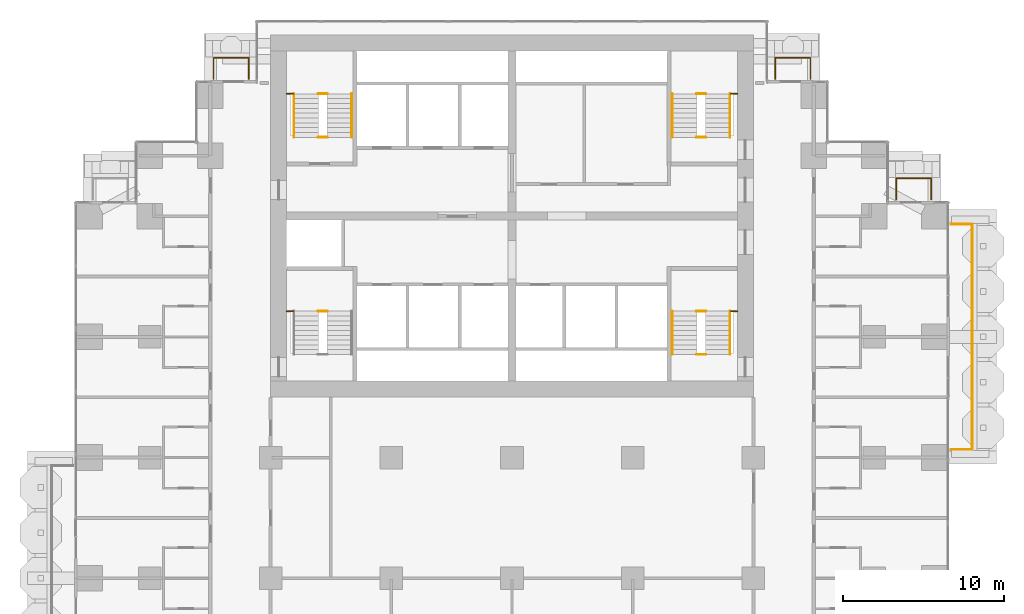
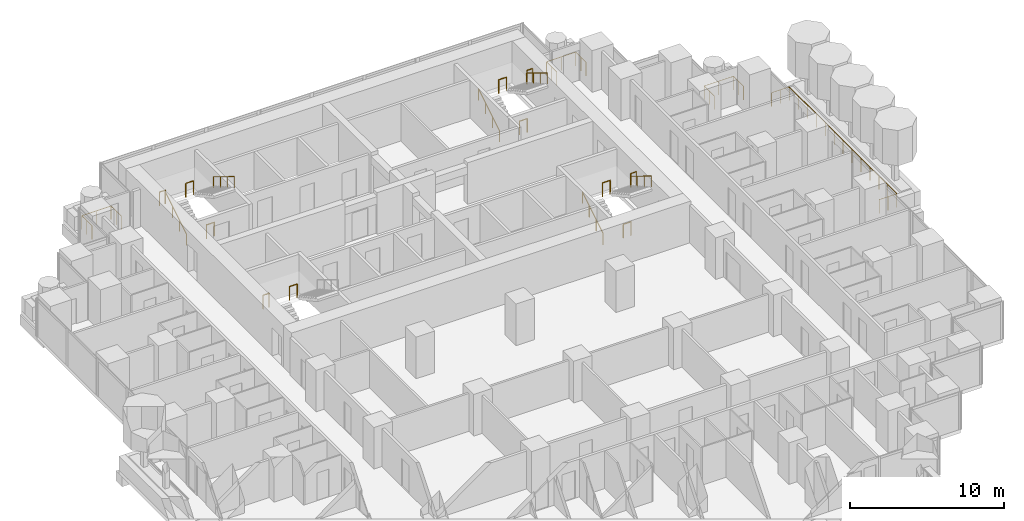
# One storey, part 18 of 19: 21 railings.
"""IFC4 building model written with IfcOpenShell, lengths in metres."""

from ifc_helpers import new_model, si_unit, direction, frame, origin, origin_2d, place, context, subcontext, project, spatial, circle, extrude, material, type_object, element, save


model = new_model("IFC4")

# Units and contexts
model_context = context("Model", 3, precision=1e-05, world=origin(), true_north=direction((0.0, 1.0)))
body_context = subcontext(model_context, "Body", "Model", "MODEL_VIEW")
ifc_project = project(units=[si_unit("LENGTHUNIT", "METRE"), si_unit("AREAUNIT", "SQUARE_METRE"), si_unit("VOLUMEUNIT", "CUBIC_METRE"), si_unit("PLANEANGLEUNIT", "RADIAN"), si_unit("MASSUNIT", "GRAM", prefix="KILO")], contexts=[model_context])

# Site, building, storey
site_placement = place(None, origin())
site = spatial("IfcSite", under=ifc_project, at=site_placement, CompositionType="ELEMENT")
building_placement = place(site_placement, origin())
building = spatial("IfcBuilding", under=site, at=building_placement, Name="Pilkhan Gate Tower", CompositionType="ELEMENT")
storey_placement = place(building_placement, frame((0.0, 0.0, 39.5)))
storey = spatial("IfcBuildingStorey", under=building, at=storey_placement, Name="L06", CompositionType="ELEMENT", Elevation=39.5)

# Railings
ifc_material_1 = material(Name="Pale anodised aluminium posts, laminated glass infill", Category="aluminium")
railing_type_1 = type_object("IfcRailingType", Name="Balcony guard G1", PredefinedType="BALUSTRADE", material=ifc_material_1)
railing_1_placement = place(storey_placement, frame((102.27001953125, 68.0, 0.0)))
element("IfcRailing", 1, at=railing_1_placement, inside=storey, type_object=railing_type_1, Name="Balcony guard L06 E", PredefinedType="BALUSTRADE", context=body_context, shape_type="SweptSolid", body=[
    extrude(circle(Radius=0.02392578125, at=origin_2d()), frame((0.0, 0.0, 1.076171875), z_axis=(1.0, 0.0, 0.0), x_axis=(0.0, 1.0, 0.0)), (0.0, 0.0, 1.0), 1.330078125),
    extrude(circle(Radius=0.02392578125, at=origin_2d()), frame((1.330078125, 0.0, 1.076171875), z_axis=(0.0, 1.0, 0.0), x_axis=(-1.0, 0.0, 0.0)), (0.0, 0.0, 1.0), 14.0),
    extrude(circle(Radius=0.02392578125, at=origin_2d()), frame((1.330078125, 14.0, 1.076171875), z_axis=(-1.0, 0.0, 0.0), x_axis=(0.0, -1.0, 0.0)), (0.0, 0.0, 1.0), 1.330078125),
    extrude(circle(Radius=0.02099609375, at=origin_2d()), origin(), (0.0, 0.0, 1.0), 1.052001953125),
    extrude(circle(Radius=0.02099609375, at=origin_2d()), frame((0.6650390625, 0.0, 0.0)), (0.0, 0.0, 1.0), 1.052001953125),
    extrude(circle(Radius=0.02099609375, at=origin_2d()), frame((1.330078125, 0.0, 0.0)), (0.0, 0.0, 1.0), 1.052001953125),
    extrude(circle(Radius=0.02099609375, at=origin_2d()), frame((1.330078125, 1.166748046875, 0.0)), (0.0, 0.0, 1.0), 1.052001953125),
    extrude(circle(Radius=0.02099609375, at=origin_2d()), frame((1.330078125, 2.333251953125, 0.0)), (0.0, 0.0, 1.0), 1.052001953125),
    extrude(circle(Radius=0.02099609375, at=origin_2d()), frame((1.330078125, 3.5, 0.0)), (0.0, 0.0, 1.0), 1.052001953125),
    extrude(circle(Radius=0.02099609375, at=origin_2d()), frame((1.330078125, 4.666748046875, 0.0)), (0.0, 0.0, 1.0), 1.052001953125),
    extrude(circle(Radius=0.02099609375, at=origin_2d()), frame((1.330078125, 5.833251953125, 0.0)), (0.0, 0.0, 1.0), 1.052001953125),
    extrude(circle(Radius=0.02099609375, at=origin_2d()), frame((1.330078125, 7.0, 0.0)), (0.0, 0.0, 1.0), 1.052001953125),
    extrude(circle(Radius=0.02099609375, at=origin_2d()), frame((1.330078125, 8.166748046875, 0.0)), (0.0, 0.0, 1.0), 1.052001953125),
    extrude(circle(Radius=0.02099609375, at=origin_2d()), frame((1.330078125, 9.333251953125, 0.0)), (0.0, 0.0, 1.0), 1.052001953125),
    extrude(circle(Radius=0.02099609375, at=origin_2d()), frame((1.330078125, 10.5, 0.0)), (0.0, 0.0, 1.0), 1.052001953125),
    extrude(circle(Radius=0.02099609375, at=origin_2d()), frame((1.330078125, 11.666748046875, 0.0)), (0.0, 0.0, 1.0), 1.052001953125),
    extrude(circle(Radius=0.02099609375, at=origin_2d()), frame((1.330078125, 12.833251953125, 0.0)), (0.0, 0.0, 1.0), 1.052001953125),
    extrude(circle(Radius=0.02099609375, at=origin_2d()), frame((1.330078125, 14.0, 0.0)), (0.0, 0.0, 1.0), 1.052001953125),
    extrude(circle(Radius=0.02099609375, at=origin_2d()), frame((0.6650390625, 14.0, 0.0)), (0.0, 0.0, 1.0), 1.052001953125),
    extrude(circle(Radius=0.02099609375, at=origin_2d()), frame((0.0, 14.0, 0.0)), (0.0, 0.0, 1.0), 1.052001953125),
])
for number, where, name in (
    (2, (56.449951171875, 91.02001953125, 0.0), "Balcony guard L06 N"),
    (3, (91.35009765625, 91.02001953125, 0.0), "Balcony guard L06 N"),
):
    element("IfcRailing", number, at=place(storey_placement, frame(where)), inside=storey, type_object=railing_type_1, Name=name, PredefinedType="BALUSTRADE", context=body_context, shape_type="SweptSolid", body=[
        extrude(circle(Radius=0.02392578125, at=origin_2d()), frame((0.0, 0.0, 1.076171875), z_axis=(0.0, 1.0, 0.0), x_axis=(-1.0, 0.0, 0.0)), (0.0, 0.0, 1.0), 1.330078125),
        extrude(circle(Radius=0.02392578125, at=origin_2d()), frame((0.0, 1.330078125, 1.076171875), z_axis=(1.0, 0.0, 0.0), x_axis=(0.0, 1.0, 0.0)), (0.0, 0.0, 1.0), 2.199951171875),
        extrude(circle(Radius=0.02392578125, at=origin_2d()), frame((2.199951171875, 1.330078125, 1.076171875), z_axis=(0.0, -1.0, 0.0), x_axis=(1.0, 0.0, 0.0)), (0.0, 0.0, 1.0), 1.330078125),
        extrude(circle(Radius=0.02099609375, at=origin_2d()), origin(), (0.0, 0.0, 1.0), 1.052001953125),
        extrude(circle(Radius=0.02099609375, at=origin_2d()), frame((0.0, 0.6650390625, 0.0)), (0.0, 0.0, 1.0), 1.052001953125),
        extrude(circle(Radius=0.02099609375, at=origin_2d()), frame((0.0, 1.330078125, 0.0)), (0.0, 0.0, 1.0), 1.052001953125),
        extrude(circle(Radius=0.02099609375, at=origin_2d()), frame((1.10009765625, 1.330078125, 0.0)), (0.0, 0.0, 1.0), 1.052001953125),
        extrude(circle(Radius=0.02099609375, at=origin_2d()), frame((2.199951171875, 1.330078125, 0.0)), (0.0, 0.0, 1.0), 1.052001953125),
        extrude(circle(Radius=0.02099609375, at=origin_2d()), frame((2.199951171875, 0.6650390625, 0.0)), (0.0, 0.0, 1.0), 1.052001953125),
        extrude(circle(Radius=0.02099609375, at=origin_2d()), frame((2.199951171875, 0.0, 0.0)), (0.0, 0.0, 1.0), 1.052001953125),
    ])
railing_2_placement = place(storey_placement, frame((98.8701171875, 83.5400390625, 0.0)))
element("IfcRailing", 4, at=railing_2_placement, inside=storey, type_object=railing_type_1, Name="Balcony guard L06 N", PredefinedType="BALUSTRADE", context=body_context, shape_type="SweptSolid", body=[
    extrude(circle(Radius=0.02392578125, at=origin_2d()), frame((0.0, 0.0, 1.076171875), z_axis=(0.0, 1.0, 0.0), x_axis=(-1.0, 0.0, 0.0)), (0.0, 0.0, 1.0), 1.31005859375),
    extrude(circle(Radius=0.02392578125, at=origin_2d()), frame((0.0, 1.31005859375, 1.076171875), z_axis=(1.0, 0.0, 0.0), x_axis=(0.0, 1.0, 0.0)), (0.0, 0.0, 1.0), 2.179931640625),
    extrude(circle(Radius=0.02392578125, at=origin_2d()), frame((2.179931640625, 1.31005859375, 1.076171875), z_axis=(0.0, -1.0, 0.0), x_axis=(1.0, 0.0, 0.0)), (0.0, 0.0, 1.0), 1.31005859375),
    extrude(circle(Radius=0.02099609375, at=origin_2d()), origin(), (0.0, 0.0, 1.0), 1.052001953125),
    extrude(circle(Radius=0.02099609375, at=origin_2d()), frame((0.0, 0.655029296875, 0.0)), (0.0, 0.0, 1.0), 1.052001953125),
    extrude(circle(Radius=0.02099609375, at=origin_2d()), frame((0.0, 1.31005859375, 0.0)), (0.0, 0.0, 1.0), 1.052001953125),
    extrude(circle(Radius=0.02099609375, at=origin_2d()), frame((1.08984375, 1.31005859375, 0.0)), (0.0, 0.0, 1.0), 1.052001953125),
    extrude(circle(Radius=0.02099609375, at=origin_2d()), frame((2.179931640625, 1.31005859375, 0.0)), (0.0, 0.0, 1.0), 1.052001953125),
    extrude(circle(Radius=0.02099609375, at=origin_2d()), frame((2.179931640625, 0.655029296875, 0.0)), (0.0, 0.0, 1.0), 1.052001953125),
    extrude(circle(Radius=0.02099609375, at=origin_2d()), frame((2.179931640625, 0.0, 0.0)), (0.0, 0.0, 1.0), 1.052001953125),
])
ifc_material_2 = material(Name="Black powder-coated steel tube", Category="steel")
railing_type_2 = type_object("IfcRailingType", Name="Stair handrail HR1", PredefinedType="HANDRAIL", material=ifc_material_2)
railing_3_placement = place(storey_placement, frame((84.949951171875, 73.89990234375, 0.0)))
element("IfcRailing", 5, at=railing_3_placement, inside=storey, type_object=railing_type_2, Name="Stair ST1 handrail L06", PredefinedType="HANDRAIL", context=body_context, shape_type="SweptSolid", body=[
    extrude(circle(Radius=0.02392578125, at=origin_2d()), frame((0.0, 0.0, 0.8759765625), z_axis=(0.0, 0.853312346642, 0.521400075823), x_axis=(-1.0, 0.0, 0.0)), (0.0, 0.0, 1.0), 3.164306640625),
    extrude(circle(Radius=0.02099609375, at=origin_2d()), origin(), (0.0, 0.0, 1.0), 0.851806640625),
    extrude(circle(Radius=0.02099609375, at=origin_2d()), frame((0.0, 0.900146484375, 0.550048828125)), (0.0, 0.0, 1.0), 0.851806640625),
    extrude(circle(Radius=0.02099609375, at=origin_2d()), frame((0.0, 1.800048828125, 1.099853515625)), (0.0, 0.0, 1.0), 0.851806640625),
    extrude(circle(Radius=0.02099609375, at=origin_2d()), frame((0.0, 2.7001953125, 1.64990234375)), (0.0, 0.0, 1.0), 0.851806640625),
])
railing_4_placement = place(storey_placement, frame((88.550048828125, 76.60009765625, 1.64990234375)))
element("IfcRailing", 6, at=railing_4_placement, inside=storey, type_object=railing_type_2, Name="Stair ST1 handrail L06", PredefinedType="HANDRAIL", context=body_context, shape_type="SweptSolid", body=[
    extrude(circle(Radius=0.02392578125, at=origin_2d()), frame((0.0, 0.0, 0.8759765625), z_axis=(0.0, -0.853278019476, 0.521456250781), x_axis=(1.0, 0.0, 0.0)), (0.0, 0.0, 1.0), 3.16455078125),
    extrude(circle(Radius=0.02099609375, at=origin_2d()), origin(), (0.0, 0.0, 1.0), 0.851806640625),
    extrude(circle(Radius=0.02099609375, at=origin_2d()), frame((0.0, -0.900146484375, 0.550048828125)), (0.0, 0.0, 1.0), 0.851806640625),
    extrude(circle(Radius=0.02099609375, at=origin_2d()), frame((0.0, -1.800048828125, 1.10009765625)), (0.0, 0.0, 1.0), 0.851806640625),
    extrude(circle(Radius=0.02099609375, at=origin_2d()), frame((0.0, -2.7001953125, 1.650146484375)), (0.0, 0.0, 1.0), 0.851806640625),
])
railing_5_placement = place(storey_placement, frame((61.449951171875, 87.39990234375, 0.0)))
element("IfcRailing", 7, at=railing_5_placement, inside=storey, type_object=railing_type_2, Name="Stair ST3 handrail L06", PredefinedType="HANDRAIL", context=body_context, shape_type="SweptSolid", body=[
    extrude(circle(Radius=0.02392578125, at=origin_2d()), frame((0.0, 0.0, 0.8759765625), z_axis=(0.0, 0.853312346642, 0.521400075823), x_axis=(-1.0, 0.0, 0.0)), (0.0, 0.0, 1.0), 3.164306640625),
    extrude(circle(Radius=0.02099609375, at=origin_2d()), origin(), (0.0, 0.0, 1.0), 0.851806640625),
    extrude(circle(Radius=0.02099609375, at=origin_2d()), frame((0.0, 0.900146484375, 0.550048828125)), (0.0, 0.0, 1.0), 0.851806640625),
    extrude(circle(Radius=0.02099609375, at=origin_2d()), frame((0.0, 1.800048828125, 1.099853515625)), (0.0, 0.0, 1.0), 0.851806640625),
    extrude(circle(Radius=0.02099609375, at=origin_2d()), frame((0.0, 2.7001953125, 1.64990234375)), (0.0, 0.0, 1.0), 0.851806640625),
])
railing_6_placement = place(storey_placement, frame((65.050048828125, 90.10009765625, 1.64990234375)))
element("IfcRailing", 8, at=railing_6_placement, inside=storey, type_object=railing_type_2, Name="Stair ST3 handrail L06", PredefinedType="HANDRAIL", context=body_context, shape_type="SweptSolid", body=[
    extrude(circle(Radius=0.02392578125, at=origin_2d()), frame((0.0, 0.0, 0.8759765625), z_axis=(0.0, -0.853278019476, 0.521456250781), x_axis=(1.0, 0.0, 0.0)), (0.0, 0.0, 1.0), 3.16455078125),
    extrude(circle(Radius=0.02099609375, at=origin_2d()), origin(), (0.0, 0.0, 1.0), 0.851806640625),
    extrude(circle(Radius=0.02099609375, at=origin_2d()), frame((0.0, -0.900146484375, 0.550048828125)), (0.0, 0.0, 1.0), 0.851806640625),
    extrude(circle(Radius=0.02099609375, at=origin_2d()), frame((0.0, -1.800048828125, 1.10009765625)), (0.0, 0.0, 1.0), 0.851806640625),
    extrude(circle(Radius=0.02099609375, at=origin_2d()), frame((0.0, -2.7001953125, 1.650146484375)), (0.0, 0.0, 1.0), 0.851806640625),
])
railing_7_placement = place(storey_placement, frame((84.949951171875, 87.39990234375, 0.0)))
element("IfcRailing", 9, at=railing_7_placement, inside=storey, type_object=railing_type_2, Name="Stair ST4 handrail L06", PredefinedType="HANDRAIL", context=body_context, shape_type="SweptSolid", body=[
    extrude(circle(Radius=0.02392578125, at=origin_2d()), frame((0.0, 0.0, 0.8759765625), z_axis=(0.0, 0.853312346642, 0.521400075823), x_axis=(-1.0, 0.0, 0.0)), (0.0, 0.0, 1.0), 3.164306640625),
    extrude(circle(Radius=0.02099609375, at=origin_2d()), origin(), (0.0, 0.0, 1.0), 0.851806640625),
    extrude(circle(Radius=0.02099609375, at=origin_2d()), frame((0.0, 0.900146484375, 0.550048828125)), (0.0, 0.0, 1.0), 0.851806640625),
    extrude(circle(Radius=0.02099609375, at=origin_2d()), frame((0.0, 1.800048828125, 1.099853515625)), (0.0, 0.0, 1.0), 0.851806640625),
    extrude(circle(Radius=0.02099609375, at=origin_2d()), frame((0.0, 2.7001953125, 1.64990234375)), (0.0, 0.0, 1.0), 0.851806640625),
])
railing_8_placement = place(storey_placement, frame((88.550048828125, 90.10009765625, 1.64990234375)))
element("IfcRailing", 10, at=railing_8_placement, inside=storey, type_object=railing_type_2, Name="Stair ST4 handrail L06", PredefinedType="HANDRAIL", context=body_context, shape_type="SweptSolid", body=[
    extrude(circle(Radius=0.02392578125, at=origin_2d()), frame((0.0, 0.0, 0.8759765625), z_axis=(0.0, -0.853278019476, 0.521456250781), x_axis=(1.0, 0.0, 0.0)), (0.0, 0.0, 1.0), 3.16455078125),
    extrude(circle(Radius=0.02099609375, at=origin_2d()), origin(), (0.0, 0.0, 1.0), 0.851806640625),
    extrude(circle(Radius=0.02099609375, at=origin_2d()), frame((0.0, -0.900146484375, 0.550048828125)), (0.0, 0.0, 1.0), 0.851806640625),
    extrude(circle(Radius=0.02099609375, at=origin_2d()), frame((0.0, -1.800048828125, 1.10009765625)), (0.0, 0.0, 1.0), 0.851806640625),
    extrude(circle(Radius=0.02099609375, at=origin_2d()), frame((0.0, -2.7001953125, 1.650146484375)), (0.0, 0.0, 1.0), 0.851806640625),
])
ifc_material_3 = material(Name="Black powder-coated steel balusters", Category="steel")
railing_type_3 = type_object("IfcRailingType", Name="Stair well guard G3", PredefinedType="GUARDRAIL", material=ifc_material_3)
railing_9_placement = place(storey_placement, frame((88.580078125, 76.60009765625, 1.64990234375)))
element("IfcRailing", 11, at=railing_9_placement, inside=storey, type_object=railing_type_3, Name="Stair ST1 well guard L06", PredefinedType="GUARDRAIL", context=body_context, shape_type="SweptSolid", body=[
    extrude(circle(Radius=0.02392578125, at=origin_2d()), frame((0.0, 0.0, 1.076171875), z_axis=(1.0, 0.0, 0.0), x_axis=(0.0, 1.0, 0.0)), (0.0, 0.0, 1.0), 0.43994140625),
    extrude(circle(Radius=0.02099609375, at=origin_2d()), origin(), (0.0, 0.0, 1.0), 1.052001953125),
    extrude(circle(Radius=0.02099609375, at=origin_2d()), frame((0.43994140625, 0.0, 0.0)), (0.0, 0.0, 1.0), 1.052001953125),
])
for number, where, name in (
    (12, (86.4599609375, 73.89990234375, 0.0), "Stair ST1 well guard L06"),
    (13, (86.4599609375, 76.60009765625, 1.64990234375), "Stair ST1 well guard L06"),
):
    element("IfcRailing", number, at=place(storey_placement, frame(where)), inside=storey, type_object=railing_type_3, Name=name, PredefinedType="GUARDRAIL", context=body_context, shape_type="SweptSolid", body=[
        extrude(circle(Radius=0.02392578125, at=origin_2d()), frame((0.0, 0.0, 1.076171875), z_axis=(1.0, 0.0, 0.0), x_axis=(0.0, 1.0, 0.0)), (0.0, 0.0, 1.0), 0.580078125),
        extrude(circle(Radius=0.02099609375, at=origin_2d()), origin(), (0.0, 0.0, 1.0), 1.052001953125),
        extrude(circle(Radius=0.02099609375, at=origin_2d()), frame((0.580078125, 0.0, 0.0)), (0.0, 0.0, 1.0), 1.052001953125),
    ])
railing_10_placement = place(storey_placement, frame((60.97998046875, 76.60009765625, 1.64990234375)))
element("IfcRailing", 14, at=railing_10_placement, inside=storey, type_object=railing_type_3, Name="Stair ST2 well guard L06", PredefinedType="GUARDRAIL", context=body_context, shape_type="SweptSolid", body=[
    extrude(circle(Radius=0.02392578125, at=origin_2d()), frame((0.0, 0.0, 1.076171875), z_axis=(1.0, 0.0, 0.0), x_axis=(0.0, 1.0, 0.0)), (0.0, 0.0, 1.0), 0.43994140625),
    extrude(circle(Radius=0.02099609375, at=origin_2d()), origin(), (0.0, 0.0, 1.0), 1.052001953125),
    extrude(circle(Radius=0.02099609375, at=origin_2d()), frame((0.43994140625, 0.0, 0.0)), (0.0, 0.0, 1.0), 1.052001953125),
])
railing_11_placement = place(storey_placement, frame((62.9599609375, 76.60009765625, 1.64990234375)))
element("IfcRailing", 15, at=railing_11_placement, inside=storey, type_object=railing_type_3, Name="Stair ST2 well guard L06", PredefinedType="GUARDRAIL", context=body_context, shape_type="SweptSolid", body=[
    extrude(circle(Radius=0.02392578125, at=origin_2d()), frame((0.0, 0.0, 1.076171875), z_axis=(1.0, 0.0, 0.0), x_axis=(0.0, 1.0, 0.0)), (0.0, 0.0, 1.0), 0.580078125),
    extrude(circle(Radius=0.02099609375, at=origin_2d()), origin(), (0.0, 0.0, 1.0), 1.052001953125),
    extrude(circle(Radius=0.02099609375, at=origin_2d()), frame((0.580078125, 0.0, 0.0)), (0.0, 0.0, 1.0), 1.052001953125),
])
railing_12_placement = place(storey_placement, frame((60.97998046875, 90.10009765625, 1.64990234375)))
element("IfcRailing", 16, at=railing_12_placement, inside=storey, type_object=railing_type_3, Name="Stair ST3 well guard L06", PredefinedType="GUARDRAIL", context=body_context, shape_type="SweptSolid", body=[
    extrude(circle(Radius=0.02392578125, at=origin_2d()), frame((0.0, 0.0, 1.076171875), z_axis=(1.0, 0.0, 0.0), x_axis=(0.0, 1.0, 0.0)), (0.0, 0.0, 1.0), 0.43994140625),
    extrude(circle(Radius=0.02099609375, at=origin_2d()), origin(), (0.0, 0.0, 1.0), 1.052001953125),
    extrude(circle(Radius=0.02099609375, at=origin_2d()), frame((0.43994140625, 0.0, 0.0)), (0.0, 0.0, 1.0), 1.052001953125),
])
for number, where, name in (
    (17, (62.9599609375, 87.39990234375, 0.0), "Stair ST3 well guard L06"),
    (18, (62.9599609375, 90.10009765625, 1.64990234375), "Stair ST3 well guard L06"),
):
    element("IfcRailing", number, at=place(storey_placement, frame(where)), inside=storey, type_object=railing_type_3, Name=name, PredefinedType="GUARDRAIL", context=body_context, shape_type="SweptSolid", body=[
        extrude(circle(Radius=0.02392578125, at=origin_2d()), frame((0.0, 0.0, 1.076171875), z_axis=(1.0, 0.0, 0.0), x_axis=(0.0, 1.0, 0.0)), (0.0, 0.0, 1.0), 0.580078125),
        extrude(circle(Radius=0.02099609375, at=origin_2d()), origin(), (0.0, 0.0, 1.0), 1.052001953125),
        extrude(circle(Radius=0.02099609375, at=origin_2d()), frame((0.580078125, 0.0, 0.0)), (0.0, 0.0, 1.0), 1.052001953125),
    ])
railing_13_placement = place(storey_placement, frame((88.580078125, 90.10009765625, 1.64990234375)))
element("IfcRailing", 19, at=railing_13_placement, inside=storey, type_object=railing_type_3, Name="Stair ST4 well guard L06", PredefinedType="GUARDRAIL", context=body_context, shape_type="SweptSolid", body=[
    extrude(circle(Radius=0.02392578125, at=origin_2d()), frame((0.0, 0.0, 1.076171875), z_axis=(1.0, 0.0, 0.0), x_axis=(0.0, 1.0, 0.0)), (0.0, 0.0, 1.0), 0.43994140625),
    extrude(circle(Radius=0.02099609375, at=origin_2d()), origin(), (0.0, 0.0, 1.0), 1.052001953125),
    extrude(circle(Radius=0.02099609375, at=origin_2d()), frame((0.43994140625, 0.0, 0.0)), (0.0, 0.0, 1.0), 1.052001953125),
])
for number, where, name in (
    (20, (86.4599609375, 87.39990234375, 0.0), "Stair ST4 well guard L06"),
    (21, (86.4599609375, 90.10009765625, 1.64990234375), "Stair ST4 well guard L06"),
):
    element("IfcRailing", number, at=place(storey_placement, frame(where)), inside=storey, type_object=railing_type_3, Name=name, PredefinedType="GUARDRAIL", context=body_context, shape_type="SweptSolid", body=[
        extrude(circle(Radius=0.02392578125, at=origin_2d()), frame((0.0, 0.0, 1.076171875), z_axis=(1.0, 0.0, 0.0), x_axis=(0.0, 1.0, 0.0)), (0.0, 0.0, 1.0), 0.580078125),
        extrude(circle(Radius=0.02099609375, at=origin_2d()), origin(), (0.0, 0.0, 1.0), 1.052001953125),
        extrude(circle(Radius=0.02099609375, at=origin_2d()), frame((0.580078125, 0.0, 0.0)), (0.0, 0.0, 1.0), 1.052001953125),
    ])

save(model, "model.ifc")
